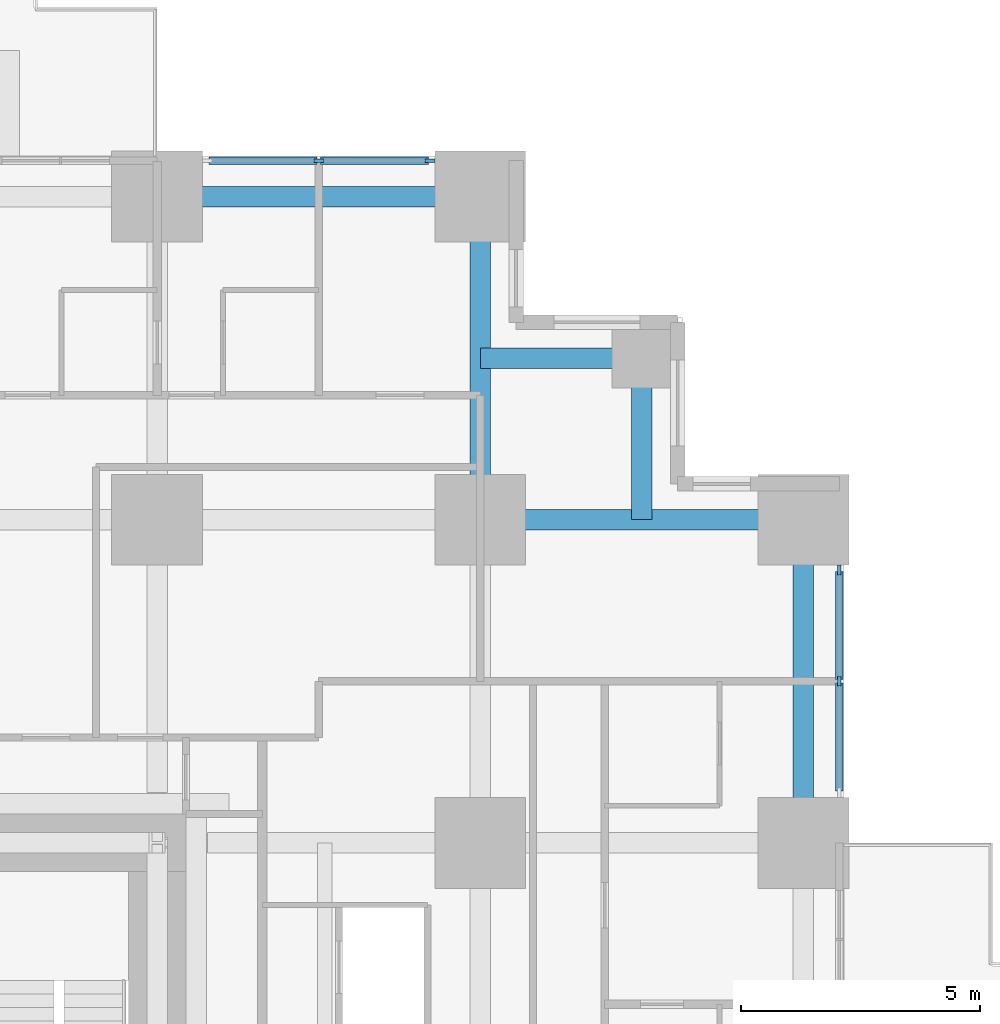
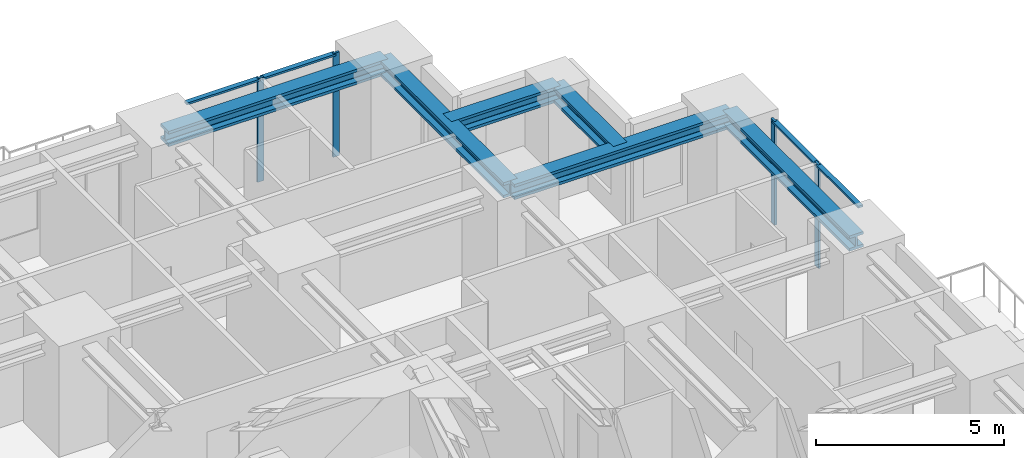
# One storey, part 6 of 14: 8 members, 6 beams, 2 elements without a shape of their own.
"""IFC4 building model written with IfcOpenShell, lengths in metres."""

from ifc_helpers import new_model, si_unit, direction, frame, origin, origin_2d, place, context, subcontext, project, spatial, rectangle, i_section, extrude, material, material_profile, profile_set, type_object, element, aggregate, save


model = new_model("IFC4")

# Units and contexts
model_context = context("Model", 3, precision=1e-05, world=origin(), true_north=direction((0.0, 1.0)))
body_context = subcontext(model_context, "Body", "Model", "MODEL_VIEW")
ifc_project = project(units=[si_unit("LENGTHUNIT", "METRE"), si_unit("AREAUNIT", "SQUARE_METRE"), si_unit("VOLUMEUNIT", "CUBIC_METRE"), si_unit("PLANEANGLEUNIT", "RADIAN"), si_unit("MASSUNIT", "GRAM", prefix="KILO")], contexts=[model_context])

# Site, building, storey
site_placement = place(None, origin())
site = spatial("IfcSite", under=ifc_project, at=site_placement, CompositionType="ELEMENT")
building_placement = place(site_placement, origin())
building = spatial("IfcBuilding", under=site, at=building_placement, Name="Nyansa Garden Tower", CompositionType="ELEMENT")
storey_placement = place(building_placement, frame((0.0, 0.0, 21.60009765625)))
storey = spatial("IfcBuildingStorey", under=building, at=storey_placement, Name="L05", CompositionType="ELEMENT", Elevation=21.60009765625)

# Curtain wall, members
ifc_material_1 = material(Name="Black anodised aluminium, dark tinted double glazing", Category="aluminium")
curtain_wall_type = type_object("IfcCurtainWallType", Name="Inner skin curtain wall ISW-A", PredefinedType="USERDEFINED", material=ifc_material_1)
curtain_wall_1_placement = place(storey_placement, origin())
curtain_wall_1 = element("IfcCurtainWall", 1, at=curtain_wall_1_placement, inside=storey, type_object=curtain_wall_type, Name="Inner skin curtain wall L05 E", ObjectType="UNITISED CURTAIN WALL", PredefinedType="USERDEFINED")
ifc_material_2 = material(Name="Black anodised aluminium", Category="aluminium")
ifc_material_profile_1 = material_profile(ifc_material_2, rectangle(XDim=0.06494140625, YDim=0.199951171875, at=origin_2d()), Name="Mullion 200x65")
ifc_profile_set_1 = profile_set([ifc_material_profile_1], Name="Black anodised aluminium")
member_type_1 = type_object("IfcMemberType", Name="Mullion ISW-A 200x65", PredefinedType="MULLION", material=ifc_profile_set_1)
member_1_placement = place(storey_placement, frame((41.25, 30.375, 0.0), z_axis=(0.0, 0.0, 1.0), x_axis=(-1.0, 0.0, 0.0)))
member_1 = element("IfcMember", 2, at=member_1_placement, type_object=member_type_1, Name="ISW-A mullion 2", PredefinedType="MULLION", context=body_context, shape_type="SweptSolid", body=[
    extrude(rectangle(XDim=0.06494140625, YDim=0.199951171875, at=origin_2d()), origin(), (0.0, 0.0, 1.0), 3.375),
])
member_2_placement = place(storey_placement, frame((41.25, 32.699951171875, 0.0), z_axis=(0.0, 0.0, 1.0), x_axis=(-1.0, 0.0, 0.0)))
member_2 = element("IfcMember", 3, at=member_2_placement, type_object=member_type_1, Name="ISW-A mullion 3", PredefinedType="MULLION", context=body_context, shape_type="SweptSolid", body=[
    extrude(rectangle(XDim=0.06494140625, YDim=0.199951171875, at=origin_2d()), origin(), (0.0, 0.0, 1.0), 3.375),
])

curtain_wall_2_placement = place(storey_placement, origin())
curtain_wall_2 = element("IfcCurtainWall", 4, at=curtain_wall_2_placement, inside=storey, type_object=curtain_wall_type, Name="Inner skin curtain wall L05 N", ObjectType="UNITISED CURTAIN WALL", PredefinedType="USERDEFINED")
member_3_placement = place(storey_placement, frame((32.699951171875, 41.25, 0.0), z_axis=(0.0, 0.0, 1.0), x_axis=(0.0, -1.0, 0.0)))
member_3 = element("IfcMember", 5, at=member_3_placement, type_object=member_type_1, Name="ISW-A mullion 1", PredefinedType="MULLION", context=body_context, shape_type="SweptSolid", body=[
    extrude(rectangle(XDim=0.06494140625, YDim=0.199951171875, at=origin_2d()), origin(), (0.0, 0.0, 1.0), 3.375),
])
member_4_placement = place(storey_placement, frame((30.375, 41.25, 0.0), z_axis=(0.0, 0.0, 1.0), x_axis=(0.0, -1.0, 0.0)))
member_4 = element("IfcMember", 6, at=member_4_placement, type_object=member_type_1, Name="ISW-A mullion 2", PredefinedType="MULLION", context=body_context, shape_type="SweptSolid", body=[
    extrude(rectangle(XDim=0.06494140625, YDim=0.199951171875, at=origin_2d()), origin(), (0.0, 0.0, 1.0), 3.375),
])

# Beams
ifc_material_3 = material(Name="Steel S355", Category="steel")
ifc_material_profile_2 = material_profile(ifc_material_3, i_section(OverallWidth=0.431884765625, OverallDepth=0.498046875, WebThickness=0.0556640625, FlangeThickness=0.0888671875, FilletRadius=0.014892578125, at=origin_2d()), Name="HD 400x744")
ifc_profile_set_2 = profile_set([ifc_material_profile_2], Name="Steel S355")
beam_type_1 = type_object("IfcBeamType", Name="Steel beam SBA1-744 HD 400x744", PredefinedType="BEAM", material=ifc_profile_set_2)
for number, where, z_axis, x_axis, name in (
    (7, (33.75, 33.75, 3.1259765625), (0.0, 1.0, 0.0), (-1.0, 0.0, 0.0), "Steel beam 7/J-7/K L06"),
    (8, (33.75, 33.75, 3.1259765625), (1.0, 0.0, 0.0), (0.0, 1.0, 0.0), "Steel beam 7/J-8/J L06"),
):
    element("IfcBeam", number, at=place(storey_placement, frame(where, z_axis=z_axis, x_axis=x_axis)), inside=storey, type_object=beam_type_1, Name=name, PredefinedType="BEAM", context=body_context, shape_type="SweptSolid", body=[
        extrude(i_section(OverallWidth=0.431884765625, OverallDepth=0.498046875, WebThickness=0.0556640625, FlangeThickness=0.0888671875, FilletRadius=0.014892578125, at=origin_2d()), origin(), (0.0, 0.0, 1.0), 6.75),
    ])
ifc_material_4 = material(Name="Steel S355", Category="steel")
ifc_material_profile_3 = material_profile(ifc_material_4, i_section(OverallWidth=0.431884765625, OverallDepth=0.498046875, WebThickness=0.0556640625, FlangeThickness=0.0888671875, FilletRadius=0.014892578125, at=origin_2d()), Name="HD 400x744")
ifc_profile_set_3 = profile_set([ifc_material_profile_3], Name="Steel S355")
beam_type_2 = type_object("IfcBeamType", Name="Steel beam SEBA-744 HD 400x744", PredefinedType="BEAM", material=ifc_profile_set_3)
for number, where, z_axis, x_axis, name in (
    (9, (27.0, 40.5, 3.1259765625), (1.0, 0.0, 0.0), (0.0, 1.0, 0.0), "Steel edge beam 6/K-7/K L06"),
    (10, (40.5, 27.0, 3.1259765625), (0.0, 1.0, 0.0), (-1.0, 0.0, 0.0), "Steel edge beam 8/H-8/J L06"),
):
    element("IfcBeam", number, at=place(storey_placement, frame(where, z_axis=z_axis, x_axis=x_axis)), inside=storey, type_object=beam_type_2, Name=name, PredefinedType="BEAM", context=body_context, shape_type="SweptSolid", body=[
        extrude(i_section(OverallWidth=0.431884765625, OverallDepth=0.498046875, WebThickness=0.0556640625, FlangeThickness=0.0888671875, FilletRadius=0.014892578125, at=origin_2d()), origin(), (0.0, 0.0, 1.0), 6.75),
    ])
ifc_material_5 = material(Name="Steel S355", Category="steel")
ifc_material_profile_4 = material_profile(ifc_material_5, i_section(OverallWidth=0.431884765625, OverallDepth=0.498046875, WebThickness=0.0556640625, FlangeThickness=0.0888671875, FilletRadius=0.014892578125, at=origin_2d()), Name="HD 400x744")
ifc_profile_set_4 = profile_set([ifc_material_profile_4], Name="Steel S355")
beam_type_3 = type_object("IfcBeamType", Name="Steel beam SSB1-744 HD 400x744", PredefinedType="BEAM", material=ifc_profile_set_4)
for number, where, z_axis, x_axis, name in (
    (11, (37.125, 37.125, 3.1259765625), (0.0, -1.0, 0.0), (1.0, 0.0, 0.0), "Steel step beam 37.125/37.125 L06"),
    (12, (37.125, 37.125, 3.1259765625), (-1.0, 0.0, 0.0), (0.0, -1.0, 0.0), "Steel step beam 37.125/37.125 L06"),
):
    element("IfcBeam", number, at=place(storey_placement, frame(where, z_axis=z_axis, x_axis=x_axis)), inside=storey, type_object=beam_type_3, Name=name, PredefinedType="BEAM", context=body_context, shape_type="SweptSolid", body=[
        extrude(i_section(OverallWidth=0.431884765625, OverallDepth=0.498046875, WebThickness=0.0556640625, FlangeThickness=0.0888671875, FilletRadius=0.014892578125, at=origin_2d()), origin(), (0.0, 0.0, 1.0), 3.375),
    ])

# Member
ifc_material_6 = material(Name="Black anodised aluminium", Category="aluminium")
ifc_material_profile_5 = material_profile(ifc_material_6, rectangle(XDim=0.14990234375, YDim=0.06494140625, at=origin_2d()), Name="Transom 150x65")
ifc_profile_set_5 = profile_set([ifc_material_profile_5], Name="Black anodised aluminium")
member_type_2 = type_object("IfcMemberType", Name="Transom ISW-A 150x65", PredefinedType="USERDEFINED", material=ifc_profile_set_5)
member_5_placement = place(storey_placement, frame((41.25, 28.08251953125, 3.34228515625), z_axis=(0.0, 1.0, 0.0), x_axis=(-1.0, 0.0, 0.0)))
member_5 = element("IfcMember", 13, at=member_5_placement, type_object=member_type_2, Name="ISW-A transom 1", ObjectType="TRANSOM", PredefinedType="USERDEFINED", context=body_context, shape_type="SweptSolid", body=[
    extrude(rectangle(XDim=0.14990234375, YDim=0.06494140625, at=origin_2d()), origin(), (0.0, 0.0, 1.0), 2.260009765625),
])

member_6_placement = place(storey_placement, frame((41.25, 30.407470703125, 3.34228515625), z_axis=(0.0, 1.0, 0.0), x_axis=(-1.0, 0.0, 0.0)))
member_6 = element("IfcMember", 14, at=member_6_placement, type_object=member_type_2, Name="ISW-A transom 2", ObjectType="TRANSOM", PredefinedType="USERDEFINED", context=body_context, shape_type="SweptSolid", body=[
    extrude(rectangle(XDim=0.14990234375, YDim=0.06494140625, at=origin_2d()), origin(), (0.0, 0.0, 1.0), 2.260009765625),
])

aggregate(curtain_wall_1, [member_1, member_2, member_5, member_6])

member_7_placement = place(storey_placement, frame((32.66748046875, 41.25, 3.34228515625), z_axis=(-1.0, 0.0, 0.0), x_axis=(0.0, -1.0, 0.0)))
member_7 = element("IfcMember", 15, at=member_7_placement, type_object=member_type_2, Name="ISW-A transom 1", ObjectType="TRANSOM", PredefinedType="USERDEFINED", context=body_context, shape_type="SweptSolid", body=[
    extrude(rectangle(XDim=0.14990234375, YDim=0.06494140625, at=origin_2d()), origin(), (0.0, 0.0, 1.0), 2.260009765625),
])

member_8_placement = place(storey_placement, frame((30.342529296875, 41.25, 3.34228515625), z_axis=(-1.0, 0.0, 0.0), x_axis=(0.0, -1.0, 0.0)))
member_8 = element("IfcMember", 16, at=member_8_placement, type_object=member_type_2, Name="ISW-A transom 2", ObjectType="TRANSOM", PredefinedType="USERDEFINED", context=body_context, shape_type="SweptSolid", body=[
    extrude(rectangle(XDim=0.14990234375, YDim=0.06494140625, at=origin_2d()), origin(), (0.0, 0.0, 1.0), 2.260009765625),
])

aggregate(curtain_wall_2, [member_3, member_4, member_7, member_8])

save(model, "model.ifc")
